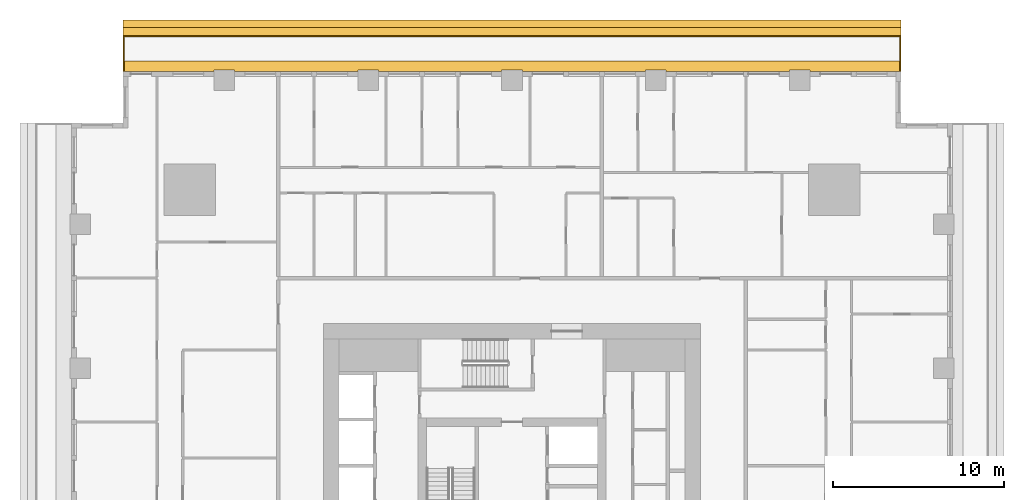
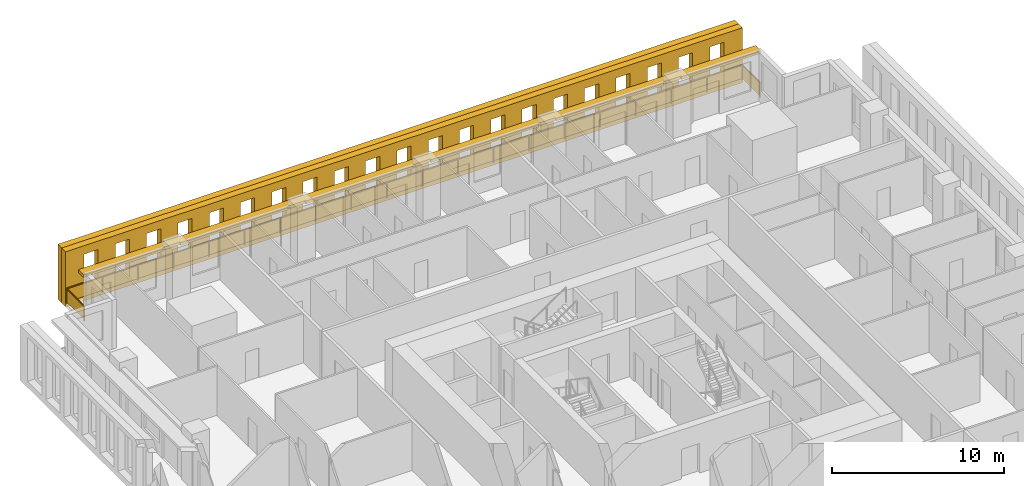
# One storey, part 15 of 15: 3 shading devices, 1 railing.
"""IFC4 building model written with IfcOpenShell, lengths in metres."""

from ifc_helpers import new_model, si_unit, direction, frame, origin, origin_2d, place, context, subcontext, project, spatial, polyline, rectangle, outline, extrude, material, layer, layer_set, type_object, element, save


model = new_model("IFC4")

# Units and contexts
model_context = context("Model", 3, precision=1e-05, world=origin(), true_north=direction((0.0, 1.0)))
body_context = subcontext(model_context, "Body", "Model", "MODEL_VIEW")
ifc_project = project(units=[si_unit("LENGTHUNIT", "METRE"), si_unit("AREAUNIT", "SQUARE_METRE"), si_unit("VOLUMEUNIT", "CUBIC_METRE"), si_unit("PLANEANGLEUNIT", "RADIAN"), si_unit("MASSUNIT", "GRAM", prefix="KILO")], contexts=[model_context])

# Site, building, storey
site_placement = place(None, origin())
site = spatial("IfcSite", under=ifc_project, at=site_placement, CompositionType="ELEMENT")
building_placement = place(site_placement, origin())
building = spatial("IfcBuilding", under=site, at=building_placement, Name="Khepri Terraces", CompositionType="ELEMENT")
storey_placement = place(building_placement, frame((0.0, 0.0, 38.699951171875)))
storey = spatial("IfcBuildingStorey", under=building, at=storey_placement, Name="L08", CompositionType="ELEMENT", Elevation=38.699951171875)

# Railing
ifc_material_1 = material(Name="Stainless steel grade 316", Category="steel")
railing_type = type_object("IfcRailingType", Name="GRD-BAL-1100", PredefinedType="GUARDRAIL", material=ifc_material_1)
railing_placement = place(storey_placement, frame((22.669921875, 25.719970703125, 0.0)))
element("IfcRailing", 1, at=railing_placement, inside=storey, type_object=railing_type, Name="Balcony guard L08 N", PredefinedType="GUARDRAIL", context=body_context, shape_type="SweptSolid", body=[
    extrude(rectangle(XDim=0.050048828125, YDim=0.06005859375, at=origin_2d()), frame((0.0, 0.0, 1.070068359375), z_axis=(0.0, 1.0, 0.0), x_axis=(-1.0, 0.0, 0.0)), (0.0, 0.0, 1.0), 2.050048828125),
    extrude(rectangle(XDim=2.0, YDim=0.011962890625, at=origin_2d()), frame((0.0, 1.02490234375, 0.10009765625), z_axis=(0.0, 0.0, 1.0), x_axis=(0.0, 1.0, 0.0)), (0.0, 0.0, 1.0), 0.93994140625),
    extrude(rectangle(XDim=0.050048828125, YDim=0.06005859375, at=origin_2d()), frame((0.0, 2.050048828125, 1.070068359375), z_axis=(-1.0, 0.0, 0.0), x_axis=(0.0, -1.0, 0.0)), (0.0, 0.0, 1.0), 45.33984375),
    extrude(rectangle(XDim=2.336181640625, YDim=0.011962890625, at=origin_2d()), frame((-1.193115234375, 2.050048828125, 0.10009765625), z_axis=(0.0, 0.0, 1.0), x_axis=(-1.0, 0.0, 0.0)), (0.0, 0.0, 1.0), 0.93994140625),
    extrude(rectangle(XDim=2.336181640625, YDim=0.011962890625, at=origin_2d()), frame((-3.579345703125, 2.050048828125, 0.10009765625), z_axis=(0.0, 0.0, 1.0), x_axis=(-1.0, 0.0, 0.0)), (0.0, 0.0, 1.0), 0.93994140625),
    extrude(rectangle(XDim=2.336181640625, YDim=0.011962890625, at=origin_2d()), frame((-5.9658203125, 2.050048828125, 0.10009765625), z_axis=(0.0, 0.0, 1.0), x_axis=(-1.0, 0.0, 0.0)), (0.0, 0.0, 1.0), 0.93994140625),
    extrude(rectangle(XDim=2.336181640625, YDim=0.011962890625, at=origin_2d()), frame((-8.35205078125, 2.050048828125, 0.10009765625), z_axis=(0.0, 0.0, 1.0), x_axis=(-1.0, 0.0, 0.0)), (0.0, 0.0, 1.0), 0.93994140625),
    extrude(rectangle(XDim=2.336181640625, YDim=0.011962890625, at=origin_2d()), frame((-10.73828125, 2.050048828125, 0.10009765625), z_axis=(0.0, 0.0, 1.0), x_axis=(-1.0, 0.0, 0.0)), (0.0, 0.0, 1.0), 0.93994140625),
    extrude(rectangle(XDim=2.336181640625, YDim=0.011962890625, at=origin_2d()), frame((-13.124755859375, 2.050048828125, 0.10009765625), z_axis=(0.0, 0.0, 1.0), x_axis=(-1.0, 0.0, 0.0)), (0.0, 0.0, 1.0), 0.93994140625),
    extrude(rectangle(XDim=2.336181640625, YDim=0.011962890625, at=origin_2d()), frame((-15.510986328125, 2.050048828125, 0.10009765625), z_axis=(0.0, 0.0, 1.0), x_axis=(-1.0, 0.0, 0.0)), (0.0, 0.0, 1.0), 0.93994140625),
    extrude(rectangle(XDim=2.336181640625, YDim=0.011962890625, at=origin_2d()), frame((-17.897216796875, 2.050048828125, 0.10009765625), z_axis=(0.0, 0.0, 1.0), x_axis=(-1.0, 0.0, 0.0)), (0.0, 0.0, 1.0), 0.93994140625),
    extrude(rectangle(XDim=2.336181640625, YDim=0.011962890625, at=origin_2d()), frame((-20.28369140625, 2.050048828125, 0.10009765625), z_axis=(0.0, 0.0, 1.0), x_axis=(-1.0, 0.0, 0.0)), (0.0, 0.0, 1.0), 0.93994140625),
    extrude(rectangle(XDim=2.336181640625, YDim=0.011962890625, at=origin_2d()), frame((-22.669921875, 2.050048828125, 0.10009765625), z_axis=(0.0, 0.0, 1.0), x_axis=(-1.0, 0.0, 0.0)), (0.0, 0.0, 1.0), 0.93994140625),
    extrude(rectangle(XDim=2.336181640625, YDim=0.011962890625, at=origin_2d()), frame((-25.05615234375, 2.050048828125, 0.10009765625), z_axis=(0.0, 0.0, 1.0), x_axis=(-1.0, 0.0, 0.0)), (0.0, 0.0, 1.0), 0.93994140625),
    extrude(rectangle(XDim=2.336181640625, YDim=0.011962890625, at=origin_2d()), frame((-27.442626953125, 2.050048828125, 0.10009765625), z_axis=(0.0, 0.0, 1.0), x_axis=(-1.0, 0.0, 0.0)), (0.0, 0.0, 1.0), 0.93994140625),
    extrude(rectangle(XDim=2.336181640625, YDim=0.011962890625, at=origin_2d()), frame((-29.828857421875, 2.050048828125, 0.10009765625), z_axis=(0.0, 0.0, 1.0), x_axis=(-1.0, 0.0, 0.0)), (0.0, 0.0, 1.0), 0.93994140625),
    extrude(rectangle(XDim=2.336181640625, YDim=0.011962890625, at=origin_2d()), frame((-32.215087890625, 2.050048828125, 0.10009765625), z_axis=(0.0, 0.0, 1.0), x_axis=(-1.0, 0.0, 0.0)), (0.0, 0.0, 1.0), 0.93994140625),
    extrude(rectangle(XDim=2.336181640625, YDim=0.011962890625, at=origin_2d()), frame((-34.6015625, 2.050048828125, 0.10009765625), z_axis=(0.0, 0.0, 1.0), x_axis=(-1.0, 0.0, 0.0)), (0.0, 0.0, 1.0), 0.93994140625),
    extrude(rectangle(XDim=2.336181640625, YDim=0.011962890625, at=origin_2d()), frame((-36.98779296875, 2.050048828125, 0.10009765625), z_axis=(0.0, 0.0, 1.0), x_axis=(-1.0, 0.0, 0.0)), (0.0, 0.0, 1.0), 0.93994140625),
    extrude(rectangle(XDim=2.336181640625, YDim=0.011962890625, at=origin_2d()), frame((-39.3740234375, 2.050048828125, 0.10009765625), z_axis=(0.0, 0.0, 1.0), x_axis=(-1.0, 0.0, 0.0)), (0.0, 0.0, 1.0), 0.93994140625),
    extrude(rectangle(XDim=2.336181640625, YDim=0.011962890625, at=origin_2d()), frame((-41.760498046875, 2.050048828125, 0.10009765625), z_axis=(0.0, 0.0, 1.0), x_axis=(-1.0, 0.0, 0.0)), (0.0, 0.0, 1.0), 0.93994140625),
    extrude(rectangle(XDim=2.336181640625, YDim=0.011962890625, at=origin_2d()), frame((-44.146728515625, 2.050048828125, 0.10009765625), z_axis=(0.0, 0.0, 1.0), x_axis=(-1.0, 0.0, 0.0)), (0.0, 0.0, 1.0), 0.93994140625),
    extrude(rectangle(XDim=0.050048828125, YDim=0.06005859375, at=origin_2d()), frame((-45.33984375, 2.050048828125, 1.070068359375), z_axis=(0.0, -1.0, 0.0), x_axis=(1.0, 0.0, 0.0)), (0.0, 0.0, 1.0), 2.050048828125),
    extrude(rectangle(XDim=2.0, YDim=0.011962890625, at=origin_2d()), frame((-45.33984375, 1.02490234375, 0.10009765625), z_axis=(0.0, 0.0, 1.0), x_axis=(0.0, -1.0, 0.0)), (0.0, 0.0, 1.0), 0.93994140625),
    extrude(rectangle(XDim=0.050048828125, YDim=0.050048828125, at=origin_2d()), origin(), (0.0, 0.0, 1.0), 1.0400390625),
    extrude(rectangle(XDim=0.050048828125, YDim=0.050048828125, at=origin_2d()), frame((0.0, 2.050048828125, 0.0)), (0.0, 0.0, 1.0), 1.0400390625),
    extrude(rectangle(XDim=0.050048828125, YDim=0.050048828125, at=origin_2d()), frame((-2.38623046875, 2.050048828125, 0.0)), (0.0, 0.0, 1.0), 1.0400390625),
    extrude(rectangle(XDim=0.050048828125, YDim=0.050048828125, at=origin_2d()), frame((-4.772705078125, 2.050048828125, 0.0)), (0.0, 0.0, 1.0), 1.0400390625),
    extrude(rectangle(XDim=0.050048828125, YDim=0.050048828125, at=origin_2d()), frame((-7.158935546875, 2.050048828125, 0.0)), (0.0, 0.0, 1.0), 1.0400390625),
    extrude(rectangle(XDim=0.050048828125, YDim=0.050048828125, at=origin_2d()), frame((-9.545166015625, 2.050048828125, 0.0)), (0.0, 0.0, 1.0), 1.0400390625),
    extrude(rectangle(XDim=0.050048828125, YDim=0.050048828125, at=origin_2d()), frame((-11.931640625, 2.050048828125, 0.0)), (0.0, 0.0, 1.0), 1.0400390625),
    extrude(rectangle(XDim=0.050048828125, YDim=0.050048828125, at=origin_2d()), frame((-14.31787109375, 2.050048828125, 0.0)), (0.0, 0.0, 1.0), 1.0400390625),
    extrude(rectangle(XDim=0.050048828125, YDim=0.050048828125, at=origin_2d()), frame((-16.7041015625, 2.050048828125, 0.0)), (0.0, 0.0, 1.0), 1.0400390625),
    extrude(rectangle(XDim=0.050048828125, YDim=0.050048828125, at=origin_2d()), frame((-19.090576171875, 2.050048828125, 0.0)), (0.0, 0.0, 1.0), 1.0400390625),
    extrude(rectangle(XDim=0.050048828125, YDim=0.050048828125, at=origin_2d()), frame((-21.476806640625, 2.050048828125, 0.0)), (0.0, 0.0, 1.0), 1.0400390625),
    extrude(rectangle(XDim=0.050048828125, YDim=0.050048828125, at=origin_2d()), frame((-23.863037109375, 2.050048828125, 0.0)), (0.0, 0.0, 1.0), 1.0400390625),
    extrude(rectangle(XDim=0.050048828125, YDim=0.050048828125, at=origin_2d()), frame((-26.249267578125, 2.050048828125, 0.0)), (0.0, 0.0, 1.0), 1.0400390625),
    extrude(rectangle(XDim=0.050048828125, YDim=0.050048828125, at=origin_2d()), frame((-28.6357421875, 2.050048828125, 0.0)), (0.0, 0.0, 1.0), 1.0400390625),
    extrude(rectangle(XDim=0.050048828125, YDim=0.050048828125, at=origin_2d()), frame((-31.02197265625, 2.050048828125, 0.0)), (0.0, 0.0, 1.0), 1.0400390625),
    extrude(rectangle(XDim=0.050048828125, YDim=0.050048828125, at=origin_2d()), frame((-33.408203125, 2.050048828125, 0.0)), (0.0, 0.0, 1.0), 1.0400390625),
    extrude(rectangle(XDim=0.050048828125, YDim=0.050048828125, at=origin_2d()), frame((-35.794677734375, 2.050048828125, 0.0)), (0.0, 0.0, 1.0), 1.0400390625),
    extrude(rectangle(XDim=0.050048828125, YDim=0.050048828125, at=origin_2d()), frame((-38.180908203125, 2.050048828125, 0.0)), (0.0, 0.0, 1.0), 1.0400390625),
    extrude(rectangle(XDim=0.050048828125, YDim=0.050048828125, at=origin_2d()), frame((-40.567138671875, 2.050048828125, 0.0)), (0.0, 0.0, 1.0), 1.0400390625),
    extrude(rectangle(XDim=0.050048828125, YDim=0.050048828125, at=origin_2d()), frame((-42.95361328125, 2.050048828125, 0.0)), (0.0, 0.0, 1.0), 1.0400390625),
    extrude(rectangle(XDim=0.050048828125, YDim=0.050048828125, at=origin_2d()), frame((-45.33984375, 2.050048828125, 0.0)), (0.0, 0.0, 1.0), 1.0400390625),
    extrude(rectangle(XDim=0.050048828125, YDim=0.050048828125, at=origin_2d()), frame((-45.33984375, 0.0, 0.0)), (0.0, 0.0, 1.0), 1.0400390625),
])

# Shading devices
ifc_material_2 = material(Name="Precast concrete C50/60 warm stone", Category="masonry")
shading_device_type_1 = type_object("IfcShadingDeviceType", Name="SCR-CELL-INNER-450", PredefinedType="USERDEFINED", material=ifc_material_2)
shading_device_1_placement = place(storey_placement, frame((22.719970703125, 27.820068359375, -0.25), z_axis=(0.0, 1.0, 0.0), x_axis=(-1.0, 0.0, 0.0)))
element("IfcShadingDevice", 2, at=shading_device_1_placement, inside=storey, type_object=shading_device_type_1, Name="Cell screen L08 N in", ObjectType="SCREEN", PredefinedType="USERDEFINED", context=body_context, shape_type="SweptSolid", body=[
    extrude(outline(polyline([(0.0, 0.0), (45.43994140625, 0.0), (45.43994140625, 3.89990234375), (0.0, 3.89990234375), (0.0, 0.0)]), holes=[polyline([(1.24755859375, 0.699951171875), (2.1923828125, 0.699951171875), (2.1923828125, 3.300048828125), (1.24755859375, 3.300048828125), (1.24755859375, 0.699951171875)]), polyline([(3.347412109375, 0.699951171875), (4.29248046875, 0.699951171875), (4.29248046875, 3.300048828125), (3.347412109375, 3.300048828125), (3.347412109375, 0.699951171875)]), polyline([(5.447509765625, 0.699951171875), (6.392578125, 0.699951171875), (6.392578125, 3.300048828125), (5.447509765625, 3.300048828125), (5.447509765625, 0.699951171875)]), polyline([(7.547607421875, 0.699951171875), (8.492431640625, 0.699951171875), (8.492431640625, 3.300048828125), (7.547607421875, 3.300048828125), (7.547607421875, 0.699951171875)]), polyline([(9.6474609375, 0.699951171875), (10.592529296875, 0.699951171875), (10.592529296875, 3.300048828125), (9.6474609375, 3.300048828125), (9.6474609375, 0.699951171875)]), polyline([(11.74755859375, 0.699951171875), (12.6923828125, 0.699951171875), (12.6923828125, 3.300048828125), (11.74755859375, 3.300048828125), (11.74755859375, 0.699951171875)]), polyline([(13.847412109375, 0.699951171875), (14.79248046875, 0.699951171875), (14.79248046875, 3.300048828125), (13.847412109375, 3.300048828125), (13.847412109375, 0.699951171875)]), polyline([(15.947509765625, 0.699951171875), (16.892578125, 0.699951171875), (16.892578125, 3.300048828125), (15.947509765625, 3.300048828125), (15.947509765625, 0.699951171875)]), polyline([(18.047607421875, 0.699951171875), (18.992431640625, 0.699951171875), (18.992431640625, 3.300048828125), (18.047607421875, 3.300048828125), (18.047607421875, 0.699951171875)]), polyline([(20.1474609375, 0.699951171875), (21.092529296875, 0.699951171875), (21.092529296875, 3.300048828125), (20.1474609375, 3.300048828125), (20.1474609375, 0.699951171875)]), polyline([(22.24755859375, 0.699951171875), (23.1923828125, 0.699951171875), (23.1923828125, 3.300048828125), (22.24755859375, 3.300048828125), (22.24755859375, 0.699951171875)]), polyline([(24.347412109375, 0.699951171875), (25.29248046875, 0.699951171875), (25.29248046875, 3.300048828125), (24.347412109375, 3.300048828125), (24.347412109375, 0.699951171875)]), polyline([(26.447509765625, 0.699951171875), (27.392578125, 0.699951171875), (27.392578125, 3.300048828125), (26.447509765625, 3.300048828125), (26.447509765625, 0.699951171875)]), polyline([(28.547607421875, 0.699951171875), (29.492431640625, 0.699951171875), (29.492431640625, 3.300048828125), (28.547607421875, 3.300048828125), (28.547607421875, 0.699951171875)]), polyline([(30.6474609375, 0.699951171875), (31.592529296875, 0.699951171875), (31.592529296875, 3.300048828125), (30.6474609375, 3.300048828125), (30.6474609375, 0.699951171875)]), polyline([(32.74755859375, 0.699951171875), (33.6923828125, 0.699951171875), (33.6923828125, 3.300048828125), (32.74755859375, 3.300048828125), (32.74755859375, 0.699951171875)]), polyline([(34.847412109375, 0.699951171875), (35.79248046875, 0.699951171875), (35.79248046875, 3.300048828125), (34.847412109375, 3.300048828125), (34.847412109375, 0.699951171875)]), polyline([(36.947509765625, 0.699951171875), (37.892578125, 0.699951171875), (37.892578125, 3.300048828125), (36.947509765625, 3.300048828125), (36.947509765625, 0.699951171875)]), polyline([(39.047607421875, 0.699951171875), (39.992431640625, 0.699951171875), (39.992431640625, 3.300048828125), (39.047607421875, 3.300048828125), (39.047607421875, 0.699951171875)]), polyline([(41.1474609375, 0.699951171875), (42.092529296875, 0.699951171875), (42.092529296875, 3.300048828125), (41.1474609375, 3.300048828125), (41.1474609375, 0.699951171875)]), polyline([(43.24755859375, 0.699951171875), (44.1923828125, 0.699951171875), (44.1923828125, 3.300048828125), (43.24755859375, 3.300048828125), (43.24755859375, 0.699951171875)])]), origin(), (0.0, 0.0, 1.0), 0.449951171875),
])
shading_device_type_2 = type_object("IfcShadingDeviceType", Name="SCR-CELL-OUTER-450", PredefinedType="USERDEFINED", material=ifc_material_2)
shading_device_2_placement = place(storey_placement, frame((22.719970703125, 28.27001953125, -0.25), z_axis=(0.0, 1.0, 0.0), x_axis=(-1.0, 0.0, 0.0)))
element("IfcShadingDevice", 3, at=shading_device_2_placement, inside=storey, type_object=shading_device_type_2, Name="Cell screen L08 N out", ObjectType="SCREEN", PredefinedType="USERDEFINED", context=body_context, shape_type="SweptSolid", body=[
    extrude(outline(polyline([(0.0, 0.0), (45.43994140625, 0.0), (45.43994140625, 3.89990234375), (0.0, 3.89990234375), (0.0, 0.0)]), holes=[polyline([(0.8974609375, 0.449951171875), (2.54248046875, 0.449951171875), (2.54248046875, 3.550048828125), (0.8974609375, 3.550048828125), (0.8974609375, 0.449951171875)]), polyline([(2.99755859375, 0.449951171875), (4.642578125, 0.449951171875), (4.642578125, 3.550048828125), (2.99755859375, 3.550048828125), (2.99755859375, 0.449951171875)]), polyline([(5.097412109375, 0.449951171875), (6.742431640625, 0.449951171875), (6.742431640625, 3.550048828125), (5.097412109375, 3.550048828125), (5.097412109375, 0.449951171875)]), polyline([(7.197509765625, 0.449951171875), (8.842529296875, 0.449951171875), (8.842529296875, 3.550048828125), (7.197509765625, 3.550048828125), (7.197509765625, 0.449951171875)]), polyline([(9.297607421875, 0.449951171875), (10.9423828125, 0.449951171875), (10.9423828125, 3.550048828125), (9.297607421875, 3.550048828125), (9.297607421875, 0.449951171875)]), polyline([(11.3974609375, 0.449951171875), (13.04248046875, 0.449951171875), (13.04248046875, 3.550048828125), (11.3974609375, 3.550048828125), (11.3974609375, 0.449951171875)]), polyline([(13.49755859375, 0.449951171875), (15.142578125, 0.449951171875), (15.142578125, 3.550048828125), (13.49755859375, 3.550048828125), (13.49755859375, 0.449951171875)]), polyline([(15.597412109375, 0.449951171875), (17.242431640625, 0.449951171875), (17.242431640625, 3.550048828125), (15.597412109375, 3.550048828125), (15.597412109375, 0.449951171875)]), polyline([(17.697509765625, 0.449951171875), (19.342529296875, 0.449951171875), (19.342529296875, 3.550048828125), (17.697509765625, 3.550048828125), (17.697509765625, 0.449951171875)]), polyline([(19.797607421875, 0.449951171875), (21.4423828125, 0.449951171875), (21.4423828125, 3.550048828125), (19.797607421875, 3.550048828125), (19.797607421875, 0.449951171875)]), polyline([(21.8974609375, 0.449951171875), (23.54248046875, 0.449951171875), (23.54248046875, 3.550048828125), (21.8974609375, 3.550048828125), (21.8974609375, 0.449951171875)]), polyline([(23.99755859375, 0.449951171875), (25.642578125, 0.449951171875), (25.642578125, 3.550048828125), (23.99755859375, 3.550048828125), (23.99755859375, 0.449951171875)]), polyline([(26.097412109375, 0.449951171875), (27.742431640625, 0.449951171875), (27.742431640625, 3.550048828125), (26.097412109375, 3.550048828125), (26.097412109375, 0.449951171875)]), polyline([(28.197509765625, 0.449951171875), (29.842529296875, 0.449951171875), (29.842529296875, 3.550048828125), (28.197509765625, 3.550048828125), (28.197509765625, 0.449951171875)]), polyline([(30.297607421875, 0.449951171875), (31.9423828125, 0.449951171875), (31.9423828125, 3.550048828125), (30.297607421875, 3.550048828125), (30.297607421875, 0.449951171875)]), polyline([(32.3974609375, 0.449951171875), (34.04248046875, 0.449951171875), (34.04248046875, 3.550048828125), (32.3974609375, 3.550048828125), (32.3974609375, 0.449951171875)]), polyline([(34.49755859375, 0.449951171875), (36.142578125, 0.449951171875), (36.142578125, 3.550048828125), (34.49755859375, 3.550048828125), (34.49755859375, 0.449951171875)]), polyline([(36.597412109375, 0.449951171875), (38.242431640625, 0.449951171875), (38.242431640625, 3.550048828125), (36.597412109375, 3.550048828125), (36.597412109375, 0.449951171875)]), polyline([(38.697509765625, 0.449951171875), (40.342529296875, 0.449951171875), (40.342529296875, 3.550048828125), (38.697509765625, 3.550048828125), (38.697509765625, 0.449951171875)]), polyline([(40.797607421875, 0.449951171875), (42.4423828125, 0.449951171875), (42.4423828125, 3.550048828125), (40.797607421875, 3.550048828125), (40.797607421875, 0.449951171875)]), polyline([(42.8974609375, 0.449951171875), (44.54248046875, 0.449951171875), (44.54248046875, 3.550048828125), (42.8974609375, 3.550048828125), (42.8974609375, 0.449951171875)])]), origin(), (0.0, 0.0, 1.0), 0.449951171875),
])
ifc_layer = layer(ifc_material_2, 0.199951171875, Name="Precast concrete C50/60 warm stone", Category="masonry")
ifc_layer_set = layer_set([ifc_layer], Name="Precast concrete C50/60 warm stone")
shading_device_type_3 = type_object("IfcShadingDeviceType", Name="SSH-BAND-STONE-200-N", PredefinedType="USERDEFINED", material=ifc_layer_set)
shading_device_3_placement = place(storey_placement, frame((0.0, 0.0, 3.10009765625)))
element("IfcShadingDevice", 4, at=shading_device_3_placement, inside=storey, type_object=shading_device_type_3, Name="Sunshade band L08 N", ObjectType="SUNSHADE", PredefinedType="USERDEFINED", context=body_context, shape_type="SweptSolid", body=[
    extrude(outline(polyline([(17.39990234375, 25.719970703125), (22.719970703125, 25.719970703125), (22.719970703125, 26.320068359375), (-22.719970703125, 26.320068359375), (-22.719970703125, 25.719970703125), (-17.39990234375, 25.719970703125), (-17.39990234375, 25.800048828125), (-16.199951171875, 25.800048828125), (-16.199951171875, 25.719970703125), (-9.0, 25.719970703125), (-9.0, 25.800048828125), (-7.800048828125, 25.800048828125), (-7.800048828125, 25.719970703125), (-0.60009765625, 25.719970703125), (-0.60009765625, 25.800048828125), (0.60009765625, 25.800048828125), (0.60009765625, 25.719970703125), (7.800048828125, 25.719970703125), (7.800048828125, 25.800048828125), (9.0, 25.800048828125), (9.0, 25.719970703125), (16.199951171875, 25.719970703125), (16.199951171875, 25.800048828125), (17.39990234375, 25.800048828125), (17.39990234375, 25.719970703125)])), origin(), (0.0, 0.0, 1.0), 0.199951171875),
])

save(model, "model.ifc")
